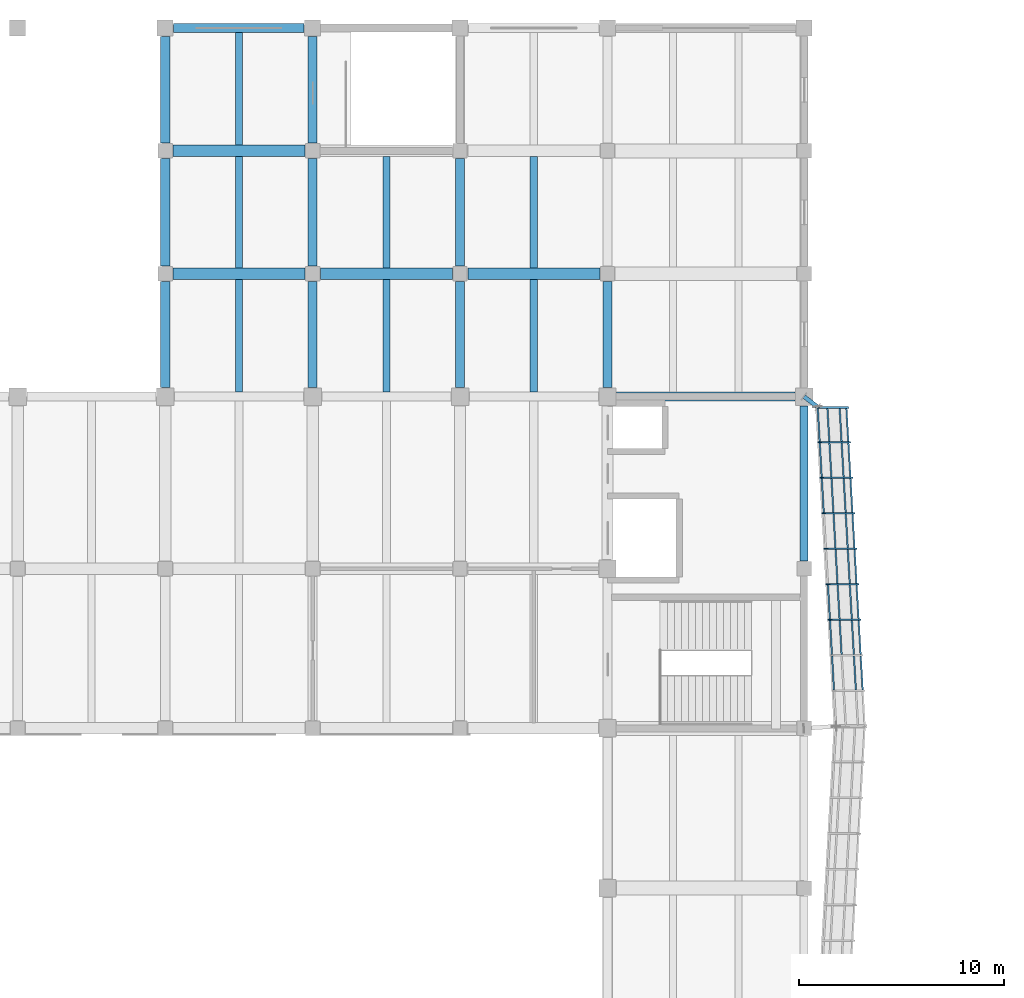
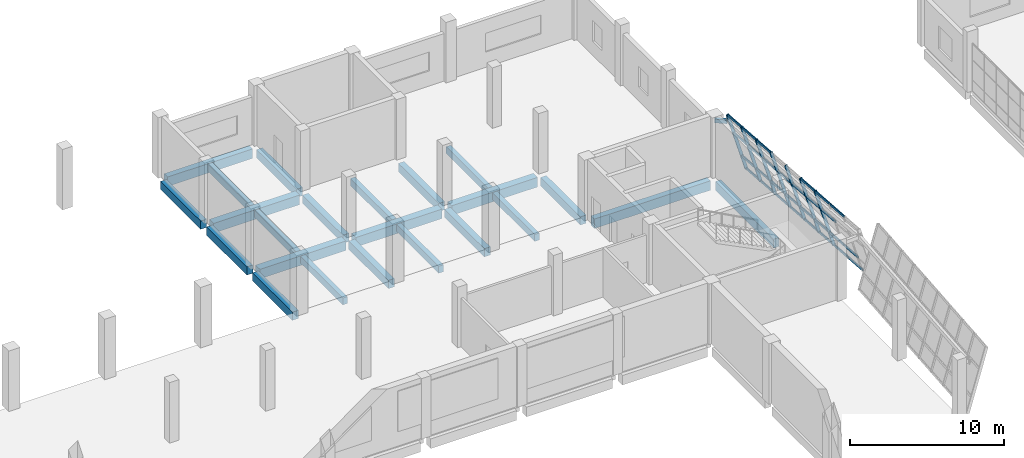
# One storey, part 48 of 91: 36 members, 24 beams, 1 element without a shape of its own.
"""IFC4 building model written with IfcOpenShell, lengths in metres."""

from ifc_helpers import new_model, si_unit, direction, frame, origin, origin_2d, place, context, subcontext, project, spatial, rectangle, hollow_rectangle, extrude, material, material_profile, profile_set, type_object, element, aggregate, save


model = new_model("IFC4")

# Units and contexts
model_context = context("Model", 3, precision=1e-05, world=origin(), true_north=direction((0.0, 1.0)))
body_context = subcontext(model_context, "Body", "Model", "MODEL_VIEW")
ifc_project = project(units=[si_unit("LENGTHUNIT", "METRE"), si_unit("AREAUNIT", "SQUARE_METRE"), si_unit("VOLUMEUNIT", "CUBIC_METRE"), si_unit("PLANEANGLEUNIT", "RADIAN"), si_unit("MASSUNIT", "GRAM", prefix="KILO")], contexts=[model_context])

# Site, building, storey
site_placement = place(None, origin())
site = spatial("IfcSite", under=ifc_project, at=site_placement, CompositionType="ELEMENT")
building_placement = place(site_placement, origin())
building = spatial("IfcBuilding", under=site, at=building_placement, Name="Pellamere Symphony Hall", CompositionType="ELEMENT")
storey_placement = place(building_placement, frame((0.0, 0.0, 5.39990234375)))
storey = spatial("IfcBuildingStorey", under=building, at=storey_placement, Name="L01", CompositionType="ELEMENT", Elevation=5.39990234375)

# Curtain wall, members
ifc_material_1 = material(Name="Thermally Broken Anodised Aluminium 6063-T6 Curtain Wall", Category="aluminium")
curtain_wall_type = type_object("IfcCurtainWallType", Name="Curtain Wall CW-01 (Tilted Faceted Crystal Low-Iron Curtain Wall)", PredefinedType="NOTDEFINED", material=ifc_material_1)
curtain_wall_placement = place(storey_placement, origin())
curtain_wall = element("IfcCurtainWall", 1, at=curtain_wall_placement, inside=storey, type_object=curtain_wall_type, Name="Crystal Faceted Curtain Wall CW-CR09 (L01)", PredefinedType="NOTDEFINED")
ifc_material_2 = material(Name="Anodised Architectural Aluminium 6063-T6", Category="aluminium")
ifc_material_profile_1 = material_profile(ifc_material_2, hollow_rectangle(XDim=0.074951171875, YDim=0.219970703125, WallThickness=0.0048828125, at=origin_2d()), Name="ALU-M75X220X5")
ifc_profile_set_1 = profile_set([ifc_material_profile_1], Name="Anodised Architectural Aluminium 6063-T6")
member_type_1 = type_object("IfcMemberType", Name="Curtain Wall Mullion ML-01 ALU-M75X220X5", PredefinedType="MULLION", material=ifc_profile_set_1)
member_1_placement = place(storey_placement, frame((121.4716796875, 82.699951171875, 0.0), z_axis=(-0.283977077304, 0.0, 0.958831069358), x_axis=(-0.055225347331, 0.998339941676, -0.016356095697)))
member_1 = element("IfcMember", 2, at=member_1_placement, type_object=member_type_1, Name="CW1-018 crystal mullion 4", PredefinedType="MULLION", context=body_context, shape_type="SweptSolid", body=[
    extrude(hollow_rectangle(XDim=0.074951171875, YDim=0.219970703125, WallThickness=0.0048828125, at=origin_2d()), origin(), (0.0, 0.0, 1.0), 5.006103515625),
])
member_2_placement = place(storey_placement, frame((121.371826171875, 84.433349609375, 0.0), z_axis=(-0.284021911736, 0.0, 0.9588177896), x_axis=(-0.055224582463, 0.998339941676, -0.016358678005)))
member_2 = element("IfcMember", 3, at=member_2_placement, type_object=member_type_1, Name="CW1-018 crystal mullion 5", PredefinedType="MULLION", context=body_context, shape_type="SweptSolid", body=[
    extrude(hollow_rectangle(XDim=0.074951171875, YDim=0.219970703125, WallThickness=0.0048828125, at=origin_2d()), origin(), (0.0, 0.0, 1.0), 5.006103515625),
])
member_3_placement = place(storey_placement, frame((121.271728515625, 86.166748046875, 0.0), z_axis=(-0.283977077304, 0.0, 0.958831069358), x_axis=(-0.055225347331, 0.998339941676, -0.016356095697)))
member_3 = element("IfcMember", 4, at=member_3_placement, type_object=member_type_1, Name="CW1-018 crystal mullion 6", PredefinedType="MULLION", context=body_context, shape_type="SweptSolid", body=[
    extrude(hollow_rectangle(XDim=0.074951171875, YDim=0.219970703125, WallThickness=0.0048828125, at=origin_2d()), origin(), (0.0, 0.0, 1.0), 5.006103515625),
])
member_4_placement = place(storey_placement, frame((121.171875, 87.89990234375, 0.0), z_axis=(-0.284021911736, 0.0, 0.9588177896), x_axis=(-0.055224582463, 0.998339941676, -0.016358678005)))
member_4 = element("IfcMember", 5, at=member_4_placement, type_object=member_type_1, Name="CW1-018 crystal mullion 7", PredefinedType="MULLION", context=body_context, shape_type="SweptSolid", body=[
    extrude(hollow_rectangle(XDim=0.074951171875, YDim=0.219970703125, WallThickness=0.0048828125, at=origin_2d()), origin(), (0.0, 0.0, 1.0), 5.006103515625),
])
member_5_placement = place(storey_placement, frame((121.07177734375, 89.63330078125, 0.0), z_axis=(-0.284021911736, 0.0, 0.9588177896), x_axis=(-0.055224582463, 0.998339941676, -0.016358678005)))
member_5 = element("IfcMember", 6, at=member_5_placement, type_object=member_type_1, Name="CW1-018 crystal mullion 8", PredefinedType="MULLION", context=body_context, shape_type="SweptSolid", body=[
    extrude(hollow_rectangle(XDim=0.074951171875, YDim=0.219970703125, WallThickness=0.0048828125, at=origin_2d()), origin(), (0.0, 0.0, 1.0), 5.006103515625),
])
member_6_placement = place(storey_placement, frame((120.9716796875, 91.36669921875, 0.0), z_axis=(-0.283977077304, 0.0, 0.958831069358), x_axis=(-0.055225347331, 0.998339941676, -0.016356095697)))
member_6 = element("IfcMember", 7, at=member_6_placement, type_object=member_type_1, Name="CW1-018 crystal mullion 9", PredefinedType="MULLION", context=body_context, shape_type="SweptSolid", body=[
    extrude(hollow_rectangle(XDim=0.074951171875, YDim=0.219970703125, WallThickness=0.0048828125, at=origin_2d()), origin(), (0.0, 0.0, 1.0), 5.006103515625),
])
member_7_placement = place(storey_placement, frame((120.8740234375, 93.0625, 0.0), z_axis=(-0.284021911736, 0.0, 0.9588177896), x_axis=(-0.055224582463, 0.998339941676, -0.016358678005)))
member_7 = element("IfcMember", 8, at=member_7_placement, type_object=member_type_1, Name="CW1-018 crystal mullion 10", PredefinedType="MULLION", context=body_context, shape_type="SweptSolid", body=[
    extrude(hollow_rectangle(XDim=0.074951171875, YDim=0.219970703125, WallThickness=0.0048828125, at=origin_2d()), origin(), (0.0, 0.0, 1.0), 5.006103515625),
])
ifc_material_profile_2 = material_profile(ifc_material_2, hollow_rectangle(XDim=0.074951171875, YDim=0.179931640625, WallThickness=0.0048828125, at=origin_2d()), Name="ALU-T75X180X5")
ifc_profile_set_2 = profile_set([ifc_material_profile_2], Name="Anodised Architectural Aluminium 6063-T6")
member_type_2 = type_object("IfcMemberType", Name="Curtain Wall Transom TR-01 ALU-T75X180X5", PredefinedType="USERDEFINED", material=ifc_profile_set_2)
member_8_placement = place(storey_placement, frame((121.658935546875, 79.270751953125, 0.0361328125), z_axis=(-0.057610619545, 0.998339129012, 0.0), x_axis=(-0.998339129012, -0.057610619545, 0.0)))
member_8 = element("IfcMember", 9, at=member_8_placement, type_object=member_type_2, Name="CW1-018 crystal transom 2.1", ObjectType="TRANSOM", PredefinedType="USERDEFINED", context=body_context, shape_type="SweptSolid", body=[
    extrude(hollow_rectangle(XDim=0.074951171875, YDim=0.179931640625, WallThickness=0.0048828125, at=origin_2d()), origin(), (0.0, 0.0, 1.0), 1.6611328125),
])
member_9_placement = place(storey_placement, frame((121.328369140625, 79.270751953125, 1.152099609375), z_axis=(-0.057610619545, 0.998339129012, 0.0), x_axis=(-0.998339129012, -0.057610619545, 0.0)))
member_9 = element("IfcMember", 10, at=member_9_placement, type_object=member_type_2, Name="CW1-018 crystal transom 2.2", ObjectType="TRANSOM", PredefinedType="USERDEFINED", context=body_context, shape_type="SweptSolid", body=[
    extrude(hollow_rectangle(XDim=0.074951171875, YDim=0.179931640625, WallThickness=0.0048828125, at=origin_2d()), origin(), (0.0, 0.0, 1.0), 1.6611328125),
])
member_10_placement = place(storey_placement, frame((120.258544921875, 79.270751953125, 4.76416015625), z_axis=(-0.057610619545, 0.998339129012, 0.0), x_axis=(-0.998339129012, -0.057610619545, 0.0)))
member_10 = element("IfcMember", 11, at=member_10_placement, type_object=member_type_2, Name="CW1-018 crystal transom 2.4", ObjectType="TRANSOM", PredefinedType="USERDEFINED", context=body_context, shape_type="SweptSolid", body=[
    extrude(hollow_rectangle(XDim=0.074951171875, YDim=0.179931640625, WallThickness=0.0048828125, at=origin_2d()), origin(), (0.0, 0.0, 1.0), 1.6611328125),
])
member_11_placement = place(storey_placement, frame((121.55908203125, 81.004150390625, 0.0361328125), z_axis=(-0.057610619545, 0.998339129012, 0.0), x_axis=(-0.998339129012, -0.057610619545, 0.0)))
member_11 = element("IfcMember", 12, at=member_11_placement, type_object=member_type_2, Name="CW1-018 crystal transom 3.1", ObjectType="TRANSOM", PredefinedType="USERDEFINED", context=body_context, shape_type="SweptSolid", body=[
    extrude(hollow_rectangle(XDim=0.074951171875, YDim=0.179931640625, WallThickness=0.0048828125, at=origin_2d()), origin(), (0.0, 0.0, 1.0), 1.6611328125),
])
member_12_placement = place(storey_placement, frame((121.228515625, 81.004150390625, 1.152099609375), z_axis=(-0.057610619545, 0.998339129012, 0.0), x_axis=(-0.998339129012, -0.057610619545, 0.0)))
member_12 = element("IfcMember", 13, at=member_12_placement, type_object=member_type_2, Name="CW1-018 crystal transom 3.2", ObjectType="TRANSOM", PredefinedType="USERDEFINED", context=body_context, shape_type="SweptSolid", body=[
    extrude(hollow_rectangle(XDim=0.074951171875, YDim=0.179931640625, WallThickness=0.0048828125, at=origin_2d()), origin(), (0.0, 0.0, 1.0), 1.6611328125),
])
member_13_placement = place(storey_placement, frame((120.63134765625, 81.004150390625, 3.168212890625), z_axis=(-0.057610619545, 0.998339129012, 0.0), x_axis=(-0.998339129012, -0.057610619545, 0.0)))
member_13 = element("IfcMember", 14, at=member_13_placement, type_object=member_type_2, Name="CW1-018 crystal transom 3.3", ObjectType="TRANSOM", PredefinedType="USERDEFINED", context=body_context, shape_type="SweptSolid", body=[
    extrude(hollow_rectangle(XDim=0.074951171875, YDim=0.179931640625, WallThickness=0.0048828125, at=origin_2d()), origin(), (0.0, 0.0, 1.0), 1.6611328125),
])
member_14_placement = place(storey_placement, frame((120.158447265625, 81.004150390625, 4.76416015625), z_axis=(-0.057610619545, 0.998339129012, 0.0), x_axis=(-0.998339129012, -0.057610619545, 0.0)))
member_14 = element("IfcMember", 15, at=member_14_placement, type_object=member_type_2, Name="CW1-018 crystal transom 3.4", ObjectType="TRANSOM", PredefinedType="USERDEFINED", context=body_context, shape_type="SweptSolid", body=[
    extrude(hollow_rectangle(XDim=0.074951171875, YDim=0.179931640625, WallThickness=0.0048828125, at=origin_2d()), origin(), (0.0, 0.0, 1.0), 1.6611328125),
])
member_15_placement = place(storey_placement, frame((121.458984375, 82.737548828125, 0.0361328125), z_axis=(-0.057610619545, 0.998339129012, 0.0), x_axis=(-0.998339129012, -0.057610619545, 0.0)))
member_15 = element("IfcMember", 16, at=member_15_placement, type_object=member_type_2, Name="CW1-018 crystal transom 4.1", ObjectType="TRANSOM", PredefinedType="USERDEFINED", context=body_context, shape_type="SweptSolid", body=[
    extrude(hollow_rectangle(XDim=0.074951171875, YDim=0.179931640625, WallThickness=0.0048828125, at=origin_2d()), origin(), (0.0, 0.0, 1.0), 1.6611328125),
])
member_16_placement = place(storey_placement, frame((121.12841796875, 82.737548828125, 1.152099609375), z_axis=(-0.057610619545, 0.998339129012, 0.0), x_axis=(-0.998339129012, -0.057610619545, 0.0)))
member_16 = element("IfcMember", 17, at=member_16_placement, type_object=member_type_2, Name="CW1-018 crystal transom 4.2", ObjectType="TRANSOM", PredefinedType="USERDEFINED", context=body_context, shape_type="SweptSolid", body=[
    extrude(hollow_rectangle(XDim=0.074951171875, YDim=0.179931640625, WallThickness=0.0048828125, at=origin_2d()), origin(), (0.0, 0.0, 1.0), 1.6611328125),
])
member_17_placement = place(storey_placement, frame((120.53125, 82.737548828125, 3.168212890625), z_axis=(-0.057610619545, 0.998339129012, 0.0), x_axis=(-0.998339129012, -0.057610619545, 0.0)))
member_17 = element("IfcMember", 18, at=member_17_placement, type_object=member_type_2, Name="CW1-018 crystal transom 4.3", ObjectType="TRANSOM", PredefinedType="USERDEFINED", context=body_context, shape_type="SweptSolid", body=[
    extrude(hollow_rectangle(XDim=0.074951171875, YDim=0.179931640625, WallThickness=0.0048828125, at=origin_2d()), origin(), (0.0, 0.0, 1.0), 1.6611328125),
])
member_18_placement = place(storey_placement, frame((120.05859375, 82.737548828125, 4.76416015625), z_axis=(-0.057610619545, 0.998339129012, 0.0), x_axis=(-0.998339129012, -0.057610619545, 0.0)))
member_18 = element("IfcMember", 19, at=member_18_placement, type_object=member_type_2, Name="CW1-018 crystal transom 4.4", ObjectType="TRANSOM", PredefinedType="USERDEFINED", context=body_context, shape_type="SweptSolid", body=[
    extrude(hollow_rectangle(XDim=0.074951171875, YDim=0.179931640625, WallThickness=0.0048828125, at=origin_2d()), origin(), (0.0, 0.0, 1.0), 1.6611328125),
])
member_19_placement = place(storey_placement, frame((121.35888671875, 84.470703125, 0.0361328125), z_axis=(-0.057464139598, 0.998347571069, 0.0), x_axis=(-0.998347571069, -0.057464139598, 0.0)))
member_19 = element("IfcMember", 20, at=member_19_placement, type_object=member_type_2, Name="CW1-018 crystal transom 5.1", ObjectType="TRANSOM", PredefinedType="USERDEFINED", context=body_context, shape_type="SweptSolid", body=[
    extrude(hollow_rectangle(XDim=0.074951171875, YDim=0.179931640625, WallThickness=0.0048828125, at=origin_2d()), origin(), (0.0, 0.0, 1.0), 1.6611328125),
])
member_20_placement = place(storey_placement, frame((121.0283203125, 84.470703125, 1.152099609375), z_axis=(-0.057610619545, 0.998339129012, 0.0), x_axis=(-0.998339129012, -0.057610619545, 0.0)))
member_20 = element("IfcMember", 21, at=member_20_placement, type_object=member_type_2, Name="CW1-018 crystal transom 5.2", ObjectType="TRANSOM", PredefinedType="USERDEFINED", context=body_context, shape_type="SweptSolid", body=[
    extrude(hollow_rectangle(XDim=0.074951171875, YDim=0.179931640625, WallThickness=0.0048828125, at=origin_2d()), origin(), (0.0, 0.0, 1.0), 1.6611328125),
])
member_21_placement = place(storey_placement, frame((120.43115234375, 84.470703125, 3.168212890625), z_axis=(-0.057464139598, 0.998347571069, 0.0), x_axis=(-0.998347571069, -0.057464139598, 0.0)))
member_21 = element("IfcMember", 22, at=member_21_placement, type_object=member_type_2, Name="CW1-018 crystal transom 5.3", ObjectType="TRANSOM", PredefinedType="USERDEFINED", context=body_context, shape_type="SweptSolid", body=[
    extrude(hollow_rectangle(XDim=0.074951171875, YDim=0.179931640625, WallThickness=0.0048828125, at=origin_2d()), origin(), (0.0, 0.0, 1.0), 1.6611328125),
])
member_22_placement = place(storey_placement, frame((121.259033203125, 86.2041015625, 0.0361328125), z_axis=(-0.057610619545, 0.998339129012, 0.0), x_axis=(-0.998339129012, -0.057610619545, 0.0)))
member_22 = element("IfcMember", 23, at=member_22_placement, type_object=member_type_2, Name="CW1-018 crystal transom 6.1", ObjectType="TRANSOM", PredefinedType="USERDEFINED", context=body_context, shape_type="SweptSolid", body=[
    extrude(hollow_rectangle(XDim=0.074951171875, YDim=0.179931640625, WallThickness=0.0048828125, at=origin_2d()), origin(), (0.0, 0.0, 1.0), 1.6611328125),
])
member_23_placement = place(storey_placement, frame((120.928466796875, 86.2041015625, 1.152099609375), z_axis=(-0.057610619545, 0.998339129012, 0.0), x_axis=(-0.998339129012, -0.057610619545, 0.0)))
member_23 = element("IfcMember", 24, at=member_23_placement, type_object=member_type_2, Name="CW1-018 crystal transom 6.2", ObjectType="TRANSOM", PredefinedType="USERDEFINED", context=body_context, shape_type="SweptSolid", body=[
    extrude(hollow_rectangle(XDim=0.074951171875, YDim=0.179931640625, WallThickness=0.0048828125, at=origin_2d()), origin(), (0.0, 0.0, 1.0), 1.6611328125),
])
member_24_placement = place(storey_placement, frame((120.331298828125, 86.2041015625, 3.168212890625), z_axis=(-0.057610619545, 0.998339129012, 0.0), x_axis=(-0.998339129012, -0.057610619545, 0.0)))
member_24 = element("IfcMember", 25, at=member_24_placement, type_object=member_type_2, Name="CW1-018 crystal transom 6.3", ObjectType="TRANSOM", PredefinedType="USERDEFINED", context=body_context, shape_type="SweptSolid", body=[
    extrude(hollow_rectangle(XDim=0.074951171875, YDim=0.179931640625, WallThickness=0.0048828125, at=origin_2d()), origin(), (0.0, 0.0, 1.0), 1.6611328125),
])
member_25_placement = place(storey_placement, frame((121.158935546875, 87.9375, 0.0361328125), z_axis=(-0.057610619545, 0.998339129012, 0.0), x_axis=(-0.998339129012, -0.057610619545, 0.0)))
member_25 = element("IfcMember", 26, at=member_25_placement, type_object=member_type_2, Name="CW1-018 crystal transom 7.1", ObjectType="TRANSOM", PredefinedType="USERDEFINED", context=body_context, shape_type="SweptSolid", body=[
    extrude(hollow_rectangle(XDim=0.074951171875, YDim=0.179931640625, WallThickness=0.0048828125, at=origin_2d()), origin(), (0.0, 0.0, 1.0), 1.6611328125),
])
member_26_placement = place(storey_placement, frame((120.828369140625, 87.9375, 1.152099609375), z_axis=(-0.057610619545, 0.998339129012, 0.0), x_axis=(-0.998339129012, -0.057610619545, 0.0)))
member_26 = element("IfcMember", 27, at=member_26_placement, type_object=member_type_2, Name="CW1-018 crystal transom 7.2", ObjectType="TRANSOM", PredefinedType="USERDEFINED", context=body_context, shape_type="SweptSolid", body=[
    extrude(hollow_rectangle(XDim=0.074951171875, YDim=0.179931640625, WallThickness=0.0048828125, at=origin_2d()), origin(), (0.0, 0.0, 1.0), 1.6611328125),
])
member_27_placement = place(storey_placement, frame((120.231201171875, 87.9375, 3.168212890625), z_axis=(-0.057610619545, 0.998339129012, 0.0), x_axis=(-0.998339129012, -0.057610619545, 0.0)))
member_27 = element("IfcMember", 28, at=member_27_placement, type_object=member_type_2, Name="CW1-018 crystal transom 7.3", ObjectType="TRANSOM", PredefinedType="USERDEFINED", context=body_context, shape_type="SweptSolid", body=[
    extrude(hollow_rectangle(XDim=0.074951171875, YDim=0.179931640625, WallThickness=0.0048828125, at=origin_2d()), origin(), (0.0, 0.0, 1.0), 1.6611328125),
])
member_28_placement = place(storey_placement, frame((119.758544921875, 87.9375, 4.76416015625), z_axis=(-0.057610619545, 0.998339129012, 0.0), x_axis=(-0.998339129012, -0.057610619545, 0.0)))
member_28 = element("IfcMember", 29, at=member_28_placement, type_object=member_type_2, Name="CW1-018 crystal transom 7.4", ObjectType="TRANSOM", PredefinedType="USERDEFINED", context=body_context, shape_type="SweptSolid", body=[
    extrude(hollow_rectangle(XDim=0.074951171875, YDim=0.179931640625, WallThickness=0.0048828125, at=origin_2d()), origin(), (0.0, 0.0, 1.0), 1.6611328125),
])
member_29_placement = place(storey_placement, frame((121.05908203125, 89.670654296875, 0.0361328125), z_axis=(-0.057602168051, 0.998339616682, 0.0), x_axis=(-0.998339616682, -0.057602168051, 0.0)))
member_29 = element("IfcMember", 30, at=member_29_placement, type_object=member_type_2, Name="CW1-018 crystal transom 8.1", ObjectType="TRANSOM", PredefinedType="USERDEFINED", context=body_context, shape_type="SweptSolid", body=[
    extrude(hollow_rectangle(XDim=0.074951171875, YDim=0.179931640625, WallThickness=0.0048828125, at=origin_2d()), origin(), (0.0, 0.0, 1.0), 1.661376953125),
])
member_30_placement = place(storey_placement, frame((120.728515625, 89.670654296875, 1.152099609375), z_axis=(-0.057602168051, 0.998339616682, 0.0), x_axis=(-0.998339616682, -0.057602168051, 0.0)))
member_30 = element("IfcMember", 31, at=member_30_placement, type_object=member_type_2, Name="CW1-018 crystal transom 8.2", ObjectType="TRANSOM", PredefinedType="USERDEFINED", context=body_context, shape_type="SweptSolid", body=[
    extrude(hollow_rectangle(XDim=0.074951171875, YDim=0.179931640625, WallThickness=0.0048828125, at=origin_2d()), origin(), (0.0, 0.0, 1.0), 1.661376953125),
])
member_31_placement = place(storey_placement, frame((120.13134765625, 89.670654296875, 3.168212890625), z_axis=(-0.057602168051, 0.998339616682, 0.0), x_axis=(-0.998339616682, -0.057602168051, 0.0)))
member_31 = element("IfcMember", 32, at=member_31_placement, type_object=member_type_2, Name="CW1-018 crystal transom 8.3", ObjectType="TRANSOM", PredefinedType="USERDEFINED", context=body_context, shape_type="SweptSolid", body=[
    extrude(hollow_rectangle(XDim=0.074951171875, YDim=0.179931640625, WallThickness=0.0048828125, at=origin_2d()), origin(), (0.0, 0.0, 1.0), 1.661376953125),
])
member_32_placement = place(storey_placement, frame((119.658447265625, 89.670654296875, 4.76416015625), z_axis=(-0.057602168051, 0.998339616682, 0.0), x_axis=(-0.998339616682, -0.057602168051, 0.0)))
member_32 = element("IfcMember", 33, at=member_32_placement, type_object=member_type_2, Name="CW1-018 crystal transom 8.4", ObjectType="TRANSOM", PredefinedType="USERDEFINED", context=body_context, shape_type="SweptSolid", body=[
    extrude(hollow_rectangle(XDim=0.074951171875, YDim=0.179931640625, WallThickness=0.0048828125, at=origin_2d()), origin(), (0.0, 0.0, 1.0), 1.661376953125),
])
member_33_placement = place(storey_placement, frame((120.958984375, 91.404052734375, 0.0361328125), z_axis=(-0.057585007883, 0.99834060664, 0.0), x_axis=(-0.99834060664, -0.057585007883, 0.0)))
member_33 = element("IfcMember", 34, at=member_33_placement, type_object=member_type_2, Name="CW1-018 crystal transom 9.1", ObjectType="TRANSOM", PredefinedType="USERDEFINED", context=body_context, shape_type="SweptSolid", body=[
    extrude(hollow_rectangle(XDim=0.074951171875, YDim=0.179931640625, WallThickness=0.0048828125, at=origin_2d()), origin(), (0.0, 0.0, 1.0), 1.623779296875),
])
member_34_placement = place(storey_placement, frame((120.62841796875, 91.404052734375, 1.152099609375), z_axis=(-0.057585007883, 0.99834060664, 0.0), x_axis=(-0.99834060664, -0.057585007883, 0.0)))
member_34 = element("IfcMember", 35, at=member_34_placement, type_object=member_type_2, Name="CW1-018 crystal transom 9.2", ObjectType="TRANSOM", PredefinedType="USERDEFINED", context=body_context, shape_type="SweptSolid", body=[
    extrude(hollow_rectangle(XDim=0.074951171875, YDim=0.179931640625, WallThickness=0.0048828125, at=origin_2d()), origin(), (0.0, 0.0, 1.0), 1.623779296875),
])
member_35_placement = place(storey_placement, frame((120.03125, 91.404052734375, 3.168212890625), z_axis=(-0.057585007883, 0.99834060664, 0.0), x_axis=(-0.99834060664, -0.057585007883, 0.0)))
member_35 = element("IfcMember", 36, at=member_35_placement, type_object=member_type_2, Name="CW1-018 crystal transom 9.3", ObjectType="TRANSOM", PredefinedType="USERDEFINED", context=body_context, shape_type="SweptSolid", body=[
    extrude(hollow_rectangle(XDim=0.074951171875, YDim=0.179931640625, WallThickness=0.0048828125, at=origin_2d()), origin(), (0.0, 0.0, 1.0), 1.623779296875),
])
member_36_placement = place(storey_placement, frame((119.55859375, 91.404052734375, 4.76416015625), z_axis=(-0.057585007883, 0.99834060664, 0.0), x_axis=(-0.99834060664, -0.057585007883, 0.0)))
member_36 = element("IfcMember", 37, at=member_36_placement, type_object=member_type_2, Name="CW1-018 crystal transom 9.4", ObjectType="TRANSOM", PredefinedType="USERDEFINED", context=body_context, shape_type="SweptSolid", body=[
    extrude(hollow_rectangle(XDim=0.074951171875, YDim=0.179931640625, WallThickness=0.0048828125, at=origin_2d()), origin(), (0.0, 0.0, 1.0), 1.623779296875),
])
aggregate(curtain_wall, [member_1, member_2, member_3, member_4, member_5, member_6, member_7, member_8, member_9, member_10, member_11, member_12, member_13, member_14, member_15, member_16, member_17, member_18, member_19, member_20, member_21, member_22, member_23, member_24, member_25, member_26, member_27, member_28, member_29, member_30, member_31, member_32, member_33, member_34, member_35, member_36])

# Beams
ifc_material_3 = material(Name="Concrete 40 MPa", Category="concrete")
ifc_material_profile_3 = material_profile(ifc_material_3, rectangle(XDim=0.449951171875, YDim=0.64990234375, at=origin_2d()), Name="RC 450x650")
ifc_profile_set_3 = profile_set([ifc_material_profile_3], Name="Concrete 40 MPa")
beam_type_1 = type_object("IfcBeamType", Name="RC CB-08 450x650", PredefinedType="BEAM", material=ifc_profile_set_3)
beam_1_placement = place(storey_placement, frame((87.60009765625, 94.050048828125, -0.60498046875), z_axis=(0.0, 1.0, 0.0), x_axis=(-1.0, 0.0, 0.0)))
element("IfcBeam", 38, at=beam_1_placement, inside=storey, type_object=beam_type_1, Name="Girder CB-08-Y0789 (L01)", PredefinedType="BEAM", context=body_context, shape_type="SweptSolid", body=[
    extrude(rectangle(XDim=0.449951171875, YDim=0.64990234375, at=origin_2d()), origin(), (0.0, 0.0, 1.0), 5.175048828125),
])
beam_2_placement = place(storey_placement, frame((87.60009765625, 99.97509765625, -0.60498046875), z_axis=(0.0, 1.0, 0.0), x_axis=(-1.0, 0.0, 0.0)))
element("IfcBeam", 39, at=beam_2_placement, inside=storey, type_object=beam_type_1, Name="Girder CB-08-Y0790 (L01)", PredefinedType="BEAM", context=body_context, shape_type="SweptSolid", body=[
    extrude(rectangle(XDim=0.449951171875, YDim=0.64990234375, at=origin_2d()), origin(), (0.0, 0.0, 1.0), 5.25),
])
beam_3_placement = place(storey_placement, frame((87.60009765625, 105.97509765625, -0.60498046875), z_axis=(0.0, 1.0, 0.0), x_axis=(-1.0, 0.0, 0.0)))
element("IfcBeam", 40, at=beam_3_placement, inside=storey, type_object=beam_type_1, Name="Girder CB-08-Y0791 (L01)", PredefinedType="BEAM", context=body_context, shape_type="SweptSolid", body=[
    extrude(rectangle(XDim=0.449951171875, YDim=0.64990234375, at=origin_2d()), origin(), (0.0, 0.0, 1.0), 5.21484375),
])
beam_4_placement = place(storey_placement, frame((94.800048828125, 94.050048828125, -0.60498046875), z_axis=(0.0, 1.0, 0.0), x_axis=(-1.0, 0.0, 0.0)))
element("IfcBeam", 41, at=beam_4_placement, inside=storey, type_object=beam_type_1, Name="Girder CB-08-Y0798 (L01)", PredefinedType="BEAM", context=body_context, shape_type="SweptSolid", body=[
    extrude(rectangle(XDim=0.449951171875, YDim=0.64990234375, at=origin_2d()), origin(), (0.0, 0.0, 1.0), 5.175048828125),
])
beam_5_placement = place(storey_placement, frame((94.800048828125, 99.97509765625, -0.60498046875), z_axis=(0.0, 1.0, 0.0), x_axis=(-1.0, 0.0, 0.0)))
element("IfcBeam", 42, at=beam_5_placement, inside=storey, type_object=beam_type_1, Name="Girder CB-08-Y0799 (L01)", PredefinedType="BEAM", context=body_context, shape_type="SweptSolid", body=[
    extrude(rectangle(XDim=0.449951171875, YDim=0.64990234375, at=origin_2d()), origin(), (0.0, 0.0, 1.0), 5.25),
])
beam_6_placement = place(storey_placement, frame((94.800048828125, 105.97509765625, -0.60498046875), z_axis=(0.0, 1.0, 0.0), x_axis=(-1.0, 0.0, 0.0)))
element("IfcBeam", 43, at=beam_6_placement, inside=storey, type_object=beam_type_1, Name="Girder CB-08-Y0800 (L01)", PredefinedType="BEAM", context=body_context, shape_type="SweptSolid", body=[
    extrude(rectangle(XDim=0.449951171875, YDim=0.64990234375, at=origin_2d()), origin(), (0.0, 0.0, 1.0), 5.21484375),
])
beam_7_placement = place(storey_placement, frame((102.0, 94.050048828125, -0.60498046875), z_axis=(0.0, 1.0, 0.0), x_axis=(-1.0, 0.0, 0.0)))
element("IfcBeam", 44, at=beam_7_placement, inside=storey, type_object=beam_type_1, Name="Girder CB-08-Y0807 (L01)", PredefinedType="BEAM", context=body_context, shape_type="SweptSolid", body=[
    extrude(rectangle(XDim=0.449951171875, YDim=0.64990234375, at=origin_2d()), origin(), (0.0, 0.0, 1.0), 5.175048828125),
])
beam_8_placement = place(storey_placement, frame((102.0, 99.97509765625, -0.60498046875), z_axis=(0.0, 1.0, 0.0), x_axis=(-1.0, 0.0, 0.0)))
element("IfcBeam", 45, at=beam_8_placement, inside=storey, type_object=beam_type_1, Name="Girder CB-08-Y0808 (L01)", PredefinedType="BEAM", context=body_context, shape_type="SweptSolid", body=[
    extrude(rectangle(XDim=0.449951171875, YDim=0.64990234375, at=origin_2d()), origin(), (0.0, 0.0, 1.0), 5.25),
])
beam_9_placement = place(storey_placement, frame((109.199951171875, 94.050048828125, -0.60498046875), z_axis=(0.0, 1.0, 0.0), x_axis=(-1.0, 0.0, 0.0)))
element("IfcBeam", 46, at=beam_9_placement, inside=storey, type_object=beam_type_1, Name="Girder CB-08-Y0820 (L01)", PredefinedType="BEAM", context=body_context, shape_type="SweptSolid", body=[
    extrude(rectangle(XDim=0.449951171875, YDim=0.64990234375, at=origin_2d()), origin(), (0.0, 0.0, 1.0), 5.175048828125),
])
ifc_material_4 = material(Name="Concrete 35 MPa", Category="concrete")
ifc_material_profile_4 = material_profile(ifc_material_4, rectangle(XDim=0.35009765625, YDim=0.550048828125, at=origin_2d()), Name="RC 350x550")
ifc_profile_set_4 = profile_set([ifc_material_profile_4], Name="Concrete 35 MPa")
beam_type_2 = type_object("IfcBeamType", Name="RC CB-10 350x550", PredefinedType="BEAM", material=ifc_profile_set_4)
beam_10_placement = place(storey_placement, frame((91.199951171875, 93.824951171875, -0.56982421875), z_axis=(0.0, 1.0, 0.0), x_axis=(-1.0, 0.0, 0.0)))
element("IfcBeam", 47, at=beam_10_placement, inside=storey, type_object=beam_type_2, Name="Secondary Floor Beam CB-10-M1112 (L01)", PredefinedType="BEAM", context=body_context, shape_type="SweptSolid", body=[
    extrude(rectangle(XDim=0.35009765625, YDim=0.550048828125, at=origin_2d()), origin(), (0.0, 0.0, 1.0), 5.4951171875),
])
beam_11_placement = place(storey_placement, frame((91.199951171875, 99.8798828125, -0.56982421875), z_axis=(0.0, 1.0, 0.0), x_axis=(-1.0, 0.0, 0.0)))
element("IfcBeam", 48, at=beam_11_placement, inside=storey, type_object=beam_type_2, Name="Secondary Floor Beam CB-10-M1113 (L01)", PredefinedType="BEAM", context=body_context, shape_type="SweptSolid", body=[
    extrude(rectangle(XDim=0.35009765625, YDim=0.550048828125, at=origin_2d()), origin(), (0.0, 0.0, 1.0), 5.440185546875),
])
for number, where, z_axis, x_axis, name in (
    (49, (91.199951171875, 105.8798828125, -0.56982421875), (0.0, 1.0, 0.0), (-1.0, 0.0, 0.0), "Secondary Floor Beam CB-10-M1114 (L01)"),
    (50, (98.39990234375, 93.824951171875, -0.56982421875), (0.0, 1.0, 0.0), (-1.0, 0.0, 0.0), "Secondary Floor Beam CB-10-M1212 (L01)"),
):
    element("IfcBeam", number, at=place(storey_placement, frame(where, z_axis=z_axis, x_axis=x_axis)), inside=storey, type_object=beam_type_2, Name=name, PredefinedType="BEAM", context=body_context, shape_type="SweptSolid", body=[
        extrude(rectangle(XDim=0.35009765625, YDim=0.550048828125, at=origin_2d()), origin(), (0.0, 0.0, 1.0), 5.4951171875),
    ])
beam_12_placement = place(storey_placement, frame((98.39990234375, 99.8798828125, -0.56982421875), z_axis=(0.0, 1.0, 0.0), x_axis=(-1.0, 0.0, 0.0)))
element("IfcBeam", 51, at=beam_12_placement, inside=storey, type_object=beam_type_2, Name="Secondary Floor Beam CB-10-M1213 (L01)", PredefinedType="BEAM", context=body_context, shape_type="SweptSolid", body=[
    extrude(rectangle(XDim=0.35009765625, YDim=0.550048828125, at=origin_2d()), origin(), (0.0, 0.0, 1.0), 5.440185546875),
])
beam_13_placement = place(storey_placement, frame((105.60009765625, 93.824951171875, -0.56982421875), z_axis=(0.0, 1.0, 0.0), x_axis=(-1.0, 0.0, 0.0)))
element("IfcBeam", 52, at=beam_13_placement, inside=storey, type_object=beam_type_2, Name="Secondary Floor Beam CB-10-M1312 (L01)", PredefinedType="BEAM", context=body_context, shape_type="SweptSolid", body=[
    extrude(rectangle(XDim=0.35009765625, YDim=0.550048828125, at=origin_2d()), origin(), (0.0, 0.0, 1.0), 5.4951171875),
])
beam_14_placement = place(storey_placement, frame((105.60009765625, 99.8798828125, -0.56982421875), z_axis=(0.0, 1.0, 0.0), x_axis=(-1.0, 0.0, 0.0)))
element("IfcBeam", 53, at=beam_14_placement, inside=storey, type_object=beam_type_2, Name="Secondary Floor Beam CB-10-M1313 (L01)", PredefinedType="BEAM", context=body_context, shape_type="SweptSolid", body=[
    extrude(rectangle(XDim=0.35009765625, YDim=0.550048828125, at=origin_2d()), origin(), (0.0, 0.0, 1.0), 5.440185546875),
])
ifc_material_profile_5 = material_profile(ifc_material_3, rectangle(XDim=0.449951171875, YDim=0.75, at=origin_2d()), Name="RC 450x750")
ifc_profile_set_5 = profile_set([ifc_material_profile_5], Name="Concrete 40 MPa")
beam_type_3 = type_object("IfcBeamType", Name="RC CB-12 450x750", PredefinedType="SPANDREL", material=ifc_profile_set_5)
beam_15_placement = place(storey_placement, frame((109.64990234375, 93.60009765625, -0.65478515625), z_axis=(1.0, 0.0, 0.0), x_axis=(0.0, 1.0, 0.0)))
element("IfcBeam", 54, at=beam_15_placement, inside=storey, type_object=beam_type_3, Name="Girder CB-12-X0691 (L01)", PredefinedType="SPANDREL", context=body_context, shape_type="SweptSolid", body=[
    extrude(rectangle(XDim=0.449951171875, YDim=0.75, at=origin_2d()), origin(), (0.0, 0.0, 1.0), 8.7001953125),
])
beam_16_placement = place(storey_placement, frame((88.010009765625, 111.60009765625, -0.65478515625), z_axis=(1.0, 0.0, 0.0), x_axis=(0.0, 1.0, 0.0)))
element("IfcBeam", 55, at=beam_16_placement, inside=storey, type_object=beam_type_3, Name="Girder CB-12-X0710 (L01)", PredefinedType="SPANDREL", context=body_context, shape_type="SweptSolid", body=[
    extrude(rectangle(XDim=0.449951171875, YDim=0.75, at=origin_2d()), origin(), (0.0, 0.0, 1.0), 6.3798828125),
])
ifc_material_profile_6 = material_profile(ifc_material_3, rectangle(XDim=0.39990234375, YDim=0.699951171875, at=origin_2d()), Name="RC 400x700")
ifc_profile_set_6 = profile_set([ifc_material_profile_6], Name="Concrete 40 MPa")
beam_type_4 = type_object("IfcBeamType", Name="RC CB-13 400x700", PredefinedType="SPANDREL", material=ifc_profile_set_6)
beam_17_placement = place(storey_placement, frame((118.800048828125, 85.574951171875, -0.6298828125), z_axis=(0.0, 1.0, 0.0), x_axis=(-1.0, 0.0, 0.0)))
element("IfcBeam", 56, at=beam_17_placement, inside=storey, type_object=beam_type_4, Name="Girder CB-13-Y0831 (L01)", PredefinedType="SPANDREL", context=body_context, shape_type="SweptSolid", body=[
    extrude(rectangle(XDim=0.39990234375, YDim=0.699951171875, at=origin_2d()), origin(), (0.0, 0.0, 1.0), 7.574951171875),
])
ifc_material_profile_7 = material_profile(ifc_material_3, rectangle(XDim=0.56005859375, YDim=0.760009765625, at=origin_2d()), Name="RC 560x760")
ifc_profile_set_7 = profile_set([ifc_material_profile_7], Name="Concrete 40 MPa")
beam_type_5 = type_object("IfcBeamType", Name="RC CB-18 560x760", PredefinedType="BEAM", material=ifc_profile_set_7)
for number, where, z_axis, x_axis, name in (
    (57, (87.97509765625, 99.60009765625, -0.659912109375), (1.0, 0.0, 0.0), (0.0, 1.0, 0.0), "Girder CB-18-X0697 (L01)"),
    (58, (95.175048828125, 99.60009765625, -0.659912109375), (1.0, 0.0, 0.0), (0.0, 1.0, 0.0), "Girder CB-18-X0698 (L01)"),
    (59, (102.375, 99.60009765625, -0.659912109375), (1.0, 0.0, 0.0), (0.0, 1.0, 0.0), "Girder CB-18-X0699 (L01)"),
    (60, (87.97509765625, 105.60009765625, -0.659912109375), (1.0, 0.0, 0.0), (0.0, 1.0, 0.0), "Girder CB-18-X0706 (L01)"),
):
    element("IfcBeam", number, at=place(storey_placement, frame(where, z_axis=z_axis, x_axis=x_axis)), inside=storey, type_object=beam_type_5, Name=name, PredefinedType="BEAM", context=body_context, shape_type="SweptSolid", body=[
        extrude(rectangle(XDim=0.56005859375, YDim=0.760009765625, at=origin_2d()), origin(), (0.0, 0.0, 1.0), 6.449951171875),
    ])
ifc_material_5 = material(Name="Steel CSA G40.21 350W", Category="steel")
ifc_material_profile_8 = material_profile(ifc_material_5, hollow_rectangle(XDim=0.203125, YDim=0.3046875, WallThickness=0.0126953125, at=origin_2d()), Name="HSS305X203X13")
ifc_profile_set_8 = profile_set([ifc_material_profile_8], Name="Steel CSA G40.21 350W")
beam_type_6 = type_object("IfcBeamType", Name="Steel Spandrel SB-26 HSS305X203X13", PredefinedType="SPANDREL", material=ifc_profile_set_8)
beam_18_placement = place(storey_placement, frame((118.800048828125, 93.60009765625, 4.239990234375), z_axis=(0.792579713642, -0.609768314627, 0.0), x_axis=(0.609768314627, 0.792579713642, 0.0)))
element("IfcBeam", 61, at=beam_18_placement, inside=storey, type_object=beam_type_6, Name="Crystal Ring Outrigger Bracket 041 (L01)", PredefinedType="SPANDREL", context=body_context, shape_type="SweptSolid", body=[
    extrude(hollow_rectangle(XDim=0.203125, YDim=0.3046875, WallThickness=0.0126953125, at=origin_2d()), origin(), (0.0, 0.0, 1.0), 0.820068359375),
])

save(model, "model.ifc")
